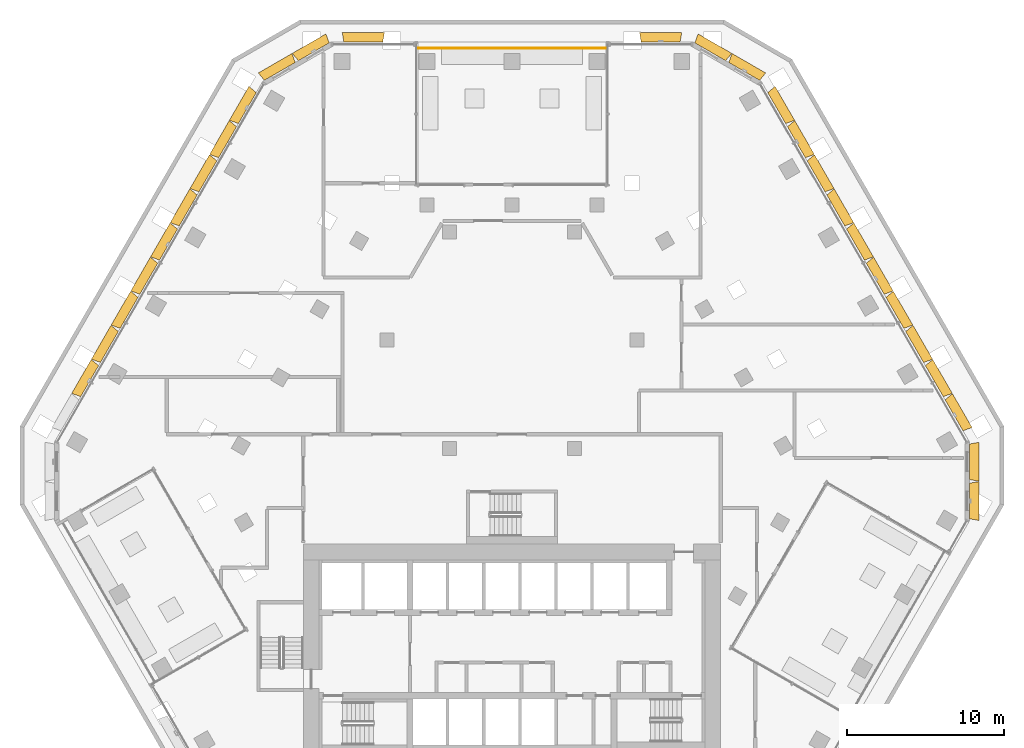
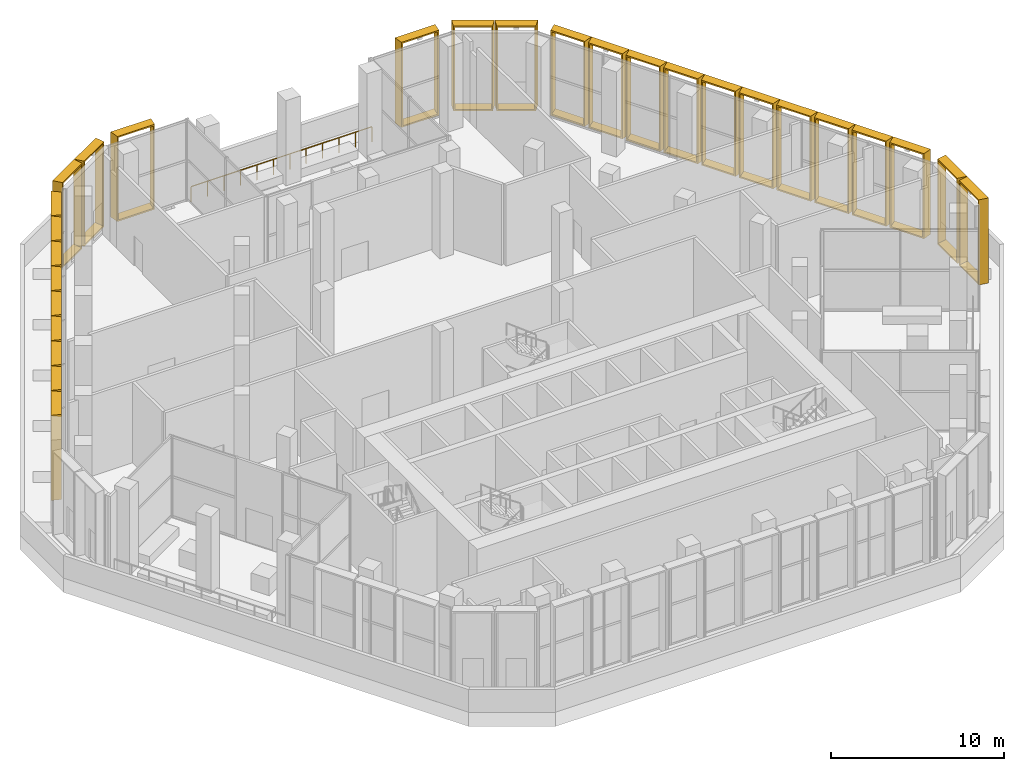
# One storey, part 22 of 23: 27 shading devices, 1 railing.
"""IFC4 building model written with IfcOpenShell, lengths in metres."""

from ifc_helpers import new_model, entity, si_unit, direction, frame, origin, origin_2d, place, context, subcontext, project, spatial, rectangle, extrude, source, transform, mapped, material, type_object, type_shapes, element, save


model = new_model("IFC4")

# Units and contexts
model_context = context("Model", 3, precision=1e-05, world=origin(), true_north=direction((0.0, 1.0)))
body_context = subcontext(model_context, "Body", "Model", "MODEL_VIEW")
ifc_project = project(units=[si_unit("LENGTHUNIT", "METRE"), si_unit("AREAUNIT", "SQUARE_METRE"), si_unit("VOLUMEUNIT", "CUBIC_METRE"), si_unit("PLANEANGLEUNIT", "RADIAN"), si_unit("MASSUNIT", "GRAM", prefix="KILO")], contexts=[model_context])

# Site, building, storey
site_placement = place(None, origin())
site = spatial("IfcSite", under=ifc_project, at=site_placement, CompositionType="ELEMENT")
building_placement = place(site_placement, origin())
building = spatial("IfcBuilding", under=site, at=building_placement, Name="Beryl Residences", CompositionType="ELEMENT")
storey_placement = place(building_placement, frame((0.0, 0.0, 66.0)))
storey = spatial("IfcBuildingStorey", under=building, at=storey_placement, Name="L20", CompositionType="ELEMENT", Elevation=66.0)

# Shading devices
ifc_material_1 = material(Name="Aluminium pale anodised", Category="aluminium")
shading_device_type_1 = type_object("IfcShadingDeviceType", Name="FR250-60A-H60 OUTER SKIN frame 600 mm deep, splay 10/10 deg, 2500 x 6000 mm cell", PredefinedType="USERDEFINED", material=ifc_material_1)
cartesian_point_1 = entity("IfcCartesianPoint", [-1.134033203125, 0.0])
cartesian_point_2 = entity("IfcCartesianPoint", [-1.052734375, 0.10009765625])
cartesian_point_3 = entity("IfcCartesianPoint", [-1.23974609375, 0.0])
cartesian_point_4 = entity("IfcCartesianPoint", [-1.158447265625, 0.10009765625])
shared_shape_1 = source(origin(), body_context, "Body", "SweptSolid", [
    entity("IfcExtrudedAreaSolidTapered", entity("IfcArbitraryProfileDefWithVoids", "AREA", None, entity("IfcPolyline", [cartesian_point_1, entity("IfcCartesianPoint", [1.134033203125, 0.0]), entity("IfcCartesianPoint", [1.134033203125, 6.0]), entity("IfcCartesianPoint", [-1.134033203125, 6.0]), cartesian_point_1]), [entity("IfcPolyline", [cartesian_point_2, entity("IfcCartesianPoint", [1.052734375, 0.10009765625]), entity("IfcCartesianPoint", [1.052734375, 5.89990234375]), entity("IfcCartesianPoint", [-1.052734375, 5.89990234375]), cartesian_point_2])]), entity("IfcAxis2Placement3D", entity("IfcCartesianPoint", [0.0, 0.0, 0.0]), entity("IfcDirection", [0.0, 1.0, 0.0]), entity("IfcDirection", [-1.0, 0.0, 0.0])), entity("IfcDirection", [0.0, 0.0, 1.0]), 0.60009765625, entity("IfcArbitraryProfileDefWithVoids", "AREA", None, entity("IfcPolyline", [cartesian_point_3, entity("IfcCartesianPoint", [1.23974609375, 0.0]), entity("IfcCartesianPoint", [1.23974609375, 6.0]), entity("IfcCartesianPoint", [-1.23974609375, 6.0]), cartesian_point_3]), [entity("IfcPolyline", [cartesian_point_4, entity("IfcCartesianPoint", [1.158447265625, 0.10009765625]), entity("IfcCartesianPoint", [1.158447265625, 5.89990234375]), entity("IfcCartesianPoint", [-1.158447265625, 5.89990234375]), cartesian_point_4])])),
])
type_shapes(shading_device_type_1, [shared_shape_1])
for number, where, z_axis, x_axis, name in (
    (1, (-12.6298828125, 26.375, 0.0), (0.0, 0.0, 1.0), (0.866025403784, 0.5, 0.0), "FR250-60A-H60 frame L20 N-NW 1"),
    (2, (-14.7939453125, 25.125, 0.0), (0.0, 0.0, 1.0), (0.866025403784, 0.5, 0.0), "FR250-60A-H60 frame L20 N-NW 2"),
    (3, (29.156982421875, -2.25, 0.0), (0.0, 0.0, 1.0), (0.0, -1.0, 0.0), "FR250-60A-H60 frame L20 SE-NE 1"),
    (4, (29.156982421875, 0.25, 0.0), (0.0, 0.0, 1.0), (0.0, -1.0, 0.0), "FR250-60A-H60 frame L20 SE-NE 2"),
    (5, (14.7939453125, 25.125, 0.0), (0.0, 0.0, 1.0), (0.866025403784, -0.5, 0.0), "FR250-60A-H60 frame L20 NE-N 1"),
    (6, (12.6298828125, 26.375, 0.0), (0.0, 0.0, 1.0), (0.866025403784, -0.5, 0.0), "FR250-60A-H60 frame L20 NE-N 2"),
):
    element("IfcShadingDevice", number, at=place(storey_placement, frame(where, z_axis=z_axis, x_axis=x_axis)), inside=storey, type_object=shading_device_type_1, Name=name, ObjectType="OUTER SKIN", PredefinedType="USERDEFINED", context=body_context, shape_type="MappedRepresentation", body=[
        mapped(shared_shape_1, transform((0.0, 0.0, 0.0))),
    ])
ifc_material_2 = material(Name="Aluminium pale anodised", Category="aluminium")
shading_device_type_2 = type_object("IfcShadingDeviceType", Name="FR251-60A-H60 OUTER SKIN frame 600 mm deep, splay 10/10 deg, 2510 x 6000 mm cell", PredefinedType="USERDEFINED", material=ifc_material_2)
cartesian_point_5 = entity("IfcCartesianPoint", [-1.138916015625, 0.0])
cartesian_point_6 = entity("IfcCartesianPoint", [-1.057861328125, 0.10009765625])
cartesian_point_7 = entity("IfcCartesianPoint", [-1.244873046875, 0.0])
cartesian_point_8 = entity("IfcCartesianPoint", [-1.16357421875, 0.10009765625])
shared_shape_2 = source(origin(), body_context, "Body", "SweptSolid", [
    entity("IfcExtrudedAreaSolidTapered", entity("IfcArbitraryProfileDefWithVoids", "AREA", None, entity("IfcPolyline", [cartesian_point_5, entity("IfcCartesianPoint", [1.138916015625, 0.0]), entity("IfcCartesianPoint", [1.138916015625, 6.0]), entity("IfcCartesianPoint", [-1.138916015625, 6.0]), cartesian_point_5]), [entity("IfcPolyline", [cartesian_point_6, entity("IfcCartesianPoint", [1.057861328125, 0.10009765625]), entity("IfcCartesianPoint", [1.057861328125, 5.89990234375]), entity("IfcCartesianPoint", [-1.057861328125, 5.89990234375]), cartesian_point_6])]), entity("IfcAxis2Placement3D", entity("IfcCartesianPoint", [0.0, 0.0, 0.0]), entity("IfcDirection", [0.0, 1.0, 0.0]), entity("IfcDirection", [-1.0, 0.0, 0.0])), entity("IfcDirection", [0.0, 0.0, 1.0]), 0.60009765625, entity("IfcArbitraryProfileDefWithVoids", "AREA", None, entity("IfcPolyline", [cartesian_point_7, entity("IfcCartesianPoint", [1.244873046875, 0.0]), entity("IfcCartesianPoint", [1.244873046875, 6.0]), entity("IfcCartesianPoint", [-1.244873046875, 6.0]), cartesian_point_7]), [entity("IfcPolyline", [cartesian_point_8, entity("IfcCartesianPoint", [1.16357421875, 0.10009765625]), entity("IfcCartesianPoint", [1.16357421875, 5.89990234375]), entity("IfcCartesianPoint", [-1.16357421875, 5.89990234375]), cartesian_point_8])])),
])
type_shapes(shading_device_type_2, [shared_shape_2])
for number, where, z_axis, x_axis, name in (
    (7, (-16.865966796875, 22.7880859375, 0.0), (0.0, 0.0, 1.0), (0.5, 0.866025403784, 0.0), "FR251-60A-H60 frame L20 NW 1"),
    (8, (-18.1220703125, 20.613037109375, 0.0), (0.0, 0.0, 1.0), (0.5, 0.866025403784, 0.0), "FR251-60A-H60 frame L20 NW 2"),
    (9, (-19.376953125, 18.43798828125, 0.0), (0.0, 0.0, 1.0), (0.5, 0.866025403784, 0.0), "FR251-60A-H60 frame L20 NW 3"),
    (10, (-20.633056640625, 16.262939453125, 0.0), (0.0, 0.0, 1.0), (0.5, 0.866025403784, 0.0), "FR251-60A-H60 frame L20 NW 4"),
    (11, (-21.888916015625, 14.087890625, 0.0), (0.0, 0.0, 1.0), (0.5, 0.866025403784, 0.0), "FR251-60A-H60 frame L20 NW 5"),
    (12, (-23.14501953125, 11.9130859375, 0.0), (0.0, 0.0, 1.0), (0.5, 0.866025403784, 0.0), "FR251-60A-H60 frame L20 NW 6"),
    (13, (-24.39990234375, 9.738037109375, 0.0), (0.0, 0.0, 1.0), (0.5, 0.866025403784, 0.0), "FR251-60A-H60 frame L20 NW 7"),
    (14, (-25.656005859375, 7.56298828125, 0.0), (0.0, 0.0, 1.0), (0.5, 0.866025403784, 0.0), "FR251-60A-H60 frame L20 NW 8"),
    (15, (-26.912109375, 5.387939453125, 0.0), (0.0, 0.0, 1.0), (0.5, 0.866025403784, 0.0), "FR251-60A-H60 frame L20 NW 9"),
    (16, (28.16796875, 3.2119140625, 0.0), (0.0, 0.0, 1.0), (0.5, -0.866025403784, 0.0), "FR251-60A-H60 frame L20 NE 1"),
    (17, (26.912109375, 5.386962890625, 0.0), (0.0, 0.0, 1.0), (0.5, -0.866025403784, 0.0), "FR251-60A-H60 frame L20 NE 2"),
    (18, (25.656982421875, 7.56201171875, 0.0), (0.0, 0.0, 1.0), (0.5, -0.866025403784, 0.0), "FR251-60A-H60 frame L20 NE 3"),
    (19, (24.40087890625, 9.737060546875, 0.0), (0.0, 0.0, 1.0), (0.5, -0.866025403784, 0.0), "FR251-60A-H60 frame L20 NE 4"),
    (20, (23.14501953125, 11.912109375, 0.0), (0.0, 0.0, 1.0), (0.5, -0.866025403784, 0.0), "FR251-60A-H60 frame L20 NE 5"),
    (21, (21.888916015625, 14.0869140625, 0.0), (0.0, 0.0, 1.0), (0.5, -0.866025403784, 0.0), "FR251-60A-H60 frame L20 NE 6"),
    (22, (20.634033203125, 16.261962890625, 0.0), (0.0, 0.0, 1.0), (0.5, -0.866025403784, 0.0), "FR251-60A-H60 frame L20 NE 7"),
    (23, (19.3779296875, 18.43701171875, 0.0), (0.0, 0.0, 1.0), (0.5, -0.866025403784, 0.0), "FR251-60A-H60 frame L20 NE 8"),
    (24, (18.1220703125, 20.612060546875, 0.0), (0.0, 0.0, 1.0), (0.5, -0.866025403784, 0.0), "FR251-60A-H60 frame L20 NE 9"),
    (25, (16.865966796875, 22.787109375, 0.0), (0.0, 0.0, 1.0), (0.5, -0.866025403784, 0.0), "FR251-60A-H60 frame L20 NE 10"),
):
    element("IfcShadingDevice", number, at=place(storey_placement, frame(where, z_axis=z_axis, x_axis=x_axis)), inside=storey, type_object=shading_device_type_2, Name=name, ObjectType="OUTER SKIN", PredefinedType="USERDEFINED", context=body_context, shape_type="MappedRepresentation", body=[
        mapped(shared_shape_2, transform((0.0, 0.0, 0.0))),
    ])
ifc_material_3 = material(Name="Aluminium pale anodised", Category="aluminium")
shading_device_type_3 = type_object("IfcShadingDeviceType", Name="FR271-60A-H60 OUTER SKIN frame 600 mm deep, splay 10/10 deg, 2710 x 6000 mm cell", PredefinedType="USERDEFINED", material=ifc_material_3)
cartesian_point_9 = entity("IfcCartesianPoint", [-1.239013671875, 0.0])
cartesian_point_10 = entity("IfcCartesianPoint", [-1.15771484375, 0.10009765625])
cartesian_point_11 = entity("IfcCartesianPoint", [-1.3447265625, 0.0])
cartesian_point_12 = entity("IfcCartesianPoint", [-1.263671875, 0.10009765625])
shared_shape_3 = source(origin(), body_context, "Body", "SweptSolid", [
    entity("IfcExtrudedAreaSolidTapered", entity("IfcArbitraryProfileDefWithVoids", "AREA", None, entity("IfcPolyline", [cartesian_point_9, entity("IfcCartesianPoint", [1.239013671875, 0.0]), entity("IfcCartesianPoint", [1.239013671875, 6.0]), entity("IfcCartesianPoint", [-1.239013671875, 6.0]), cartesian_point_9]), [entity("IfcPolyline", [cartesian_point_10, entity("IfcCartesianPoint", [1.15771484375, 0.10009765625]), entity("IfcCartesianPoint", [1.15771484375, 5.89990234375]), entity("IfcCartesianPoint", [-1.15771484375, 5.89990234375]), cartesian_point_10])]), entity("IfcAxis2Placement3D", entity("IfcCartesianPoint", [0.0, 0.0, 0.0]), entity("IfcDirection", [0.0, 1.0, 0.0]), entity("IfcDirection", [-1.0, 0.0, 0.0])), entity("IfcDirection", [0.0, 0.0, 1.0]), 0.60009765625, entity("IfcArbitraryProfileDefWithVoids", "AREA", None, entity("IfcPolyline", [cartesian_point_11, entity("IfcCartesianPoint", [1.3447265625, 0.0]), entity("IfcCartesianPoint", [1.3447265625, 6.0]), entity("IfcCartesianPoint", [-1.3447265625, 6.0]), cartesian_point_11]), [entity("IfcPolyline", [cartesian_point_12, entity("IfcCartesianPoint", [1.263671875, 0.10009765625]), entity("IfcCartesianPoint", [1.263671875, 5.89990234375]), entity("IfcCartesianPoint", [-1.263671875, 5.89990234375]), cartesian_point_12])])),
])
type_shapes(shading_device_type_3, [shared_shape_3])
for number, where, z_axis, x_axis, name in (
    (26, (9.471923828125, 27.0, 0.0), (0.0, 0.0, 1.0), (1.0, 0.0, 0.0), "FR271-60A-H60 frame L20 N 1"),
    (27, (-9.47412109375, 27.0, 0.0), (0.0, 0.0, 1.0), (1.0, 0.0, 0.0), "FR271-60A-H60 frame L20 N 8"),
):
    element("IfcShadingDevice", number, at=place(storey_placement, frame(where, z_axis=z_axis, x_axis=x_axis)), inside=storey, type_object=shading_device_type_3, Name=name, ObjectType="OUTER SKIN", PredefinedType="USERDEFINED", context=body_context, shape_type="MappedRepresentation", body=[
        mapped(shared_shape_3, transform((0.0, 0.0, 0.0))),
    ])

# Railing
ifc_material_4 = material(Name="Stainless steel and clear glass", Category="steel")
railing_type = type_object("IfcRailingType", Name="XG1 guard 1100 mm", PredefinedType="GUARDRAIL", material=ifc_material_4)
railing_placement = place(storey_placement, frame((6.02490234375, 26.60009765625, 0.0)))
element("IfcRailing", 28, at=railing_placement, inside=storey, type_object=railing_type, Name="XG1 guard L20 N garden edge", PredefinedType="GUARDRAIL", context=body_context, shape_type="SweptSolid", body=[
    extrude(rectangle(XDim=0.048095703125, YDim=0.048095703125, at=origin_2d()), frame((0.0, 0.0, 1.076171875), z_axis=(-1.0, 0.0, 0.0), x_axis=(0.0, -1.0, 0.0)), (0.0, 0.0, 1.0), 12.0498046875),
    extrude(rectangle(XDim=0.0419921875, YDim=0.0419921875, at=origin_2d()), origin(), (0.0, 0.0, 1.0), 1.052001953125),
    extrude(rectangle(XDim=0.0419921875, YDim=0.0419921875, at=origin_2d()), frame((-1.095458984375, 0.0, 0.0)), (0.0, 0.0, 1.0), 1.052001953125),
    extrude(rectangle(XDim=0.0419921875, YDim=0.0419921875, at=origin_2d()), frame((-2.19091796875, 0.0, 0.0)), (0.0, 0.0, 1.0), 1.052001953125),
    extrude(rectangle(XDim=0.0419921875, YDim=0.0419921875, at=origin_2d()), frame((-3.286376953125, 0.0, 0.0)), (0.0, 0.0, 1.0), 1.052001953125),
    extrude(rectangle(XDim=0.0419921875, YDim=0.0419921875, at=origin_2d()), frame((-4.3818359375, 0.0, 0.0)), (0.0, 0.0, 1.0), 1.052001953125),
    extrude(rectangle(XDim=0.0419921875, YDim=0.0419921875, at=origin_2d()), frame((-5.477294921875, 0.0, 0.0)), (0.0, 0.0, 1.0), 1.052001953125),
    extrude(rectangle(XDim=0.0419921875, YDim=0.0419921875, at=origin_2d()), frame((-6.572509765625, 0.0, 0.0)), (0.0, 0.0, 1.0), 1.052001953125),
    extrude(rectangle(XDim=0.0419921875, YDim=0.0419921875, at=origin_2d()), frame((-7.66796875, 0.0, 0.0)), (0.0, 0.0, 1.0), 1.052001953125),
    extrude(rectangle(XDim=0.0419921875, YDim=0.0419921875, at=origin_2d()), frame((-8.763427734375, 0.0, 0.0)), (0.0, 0.0, 1.0), 1.052001953125),
    extrude(rectangle(XDim=0.0419921875, YDim=0.0419921875, at=origin_2d()), frame((-9.85888671875, 0.0, 0.0)), (0.0, 0.0, 1.0), 1.052001953125),
    extrude(rectangle(XDim=0.0419921875, YDim=0.0419921875, at=origin_2d()), frame((-10.954345703125, 0.0, 0.0)), (0.0, 0.0, 1.0), 1.052001953125),
    extrude(rectangle(XDim=0.0419921875, YDim=0.0419921875, at=origin_2d()), frame((-12.0498046875, 0.0, 0.0)), (0.0, 0.0, 1.0), 1.052001953125),
])

save(model, "model.ifc")
